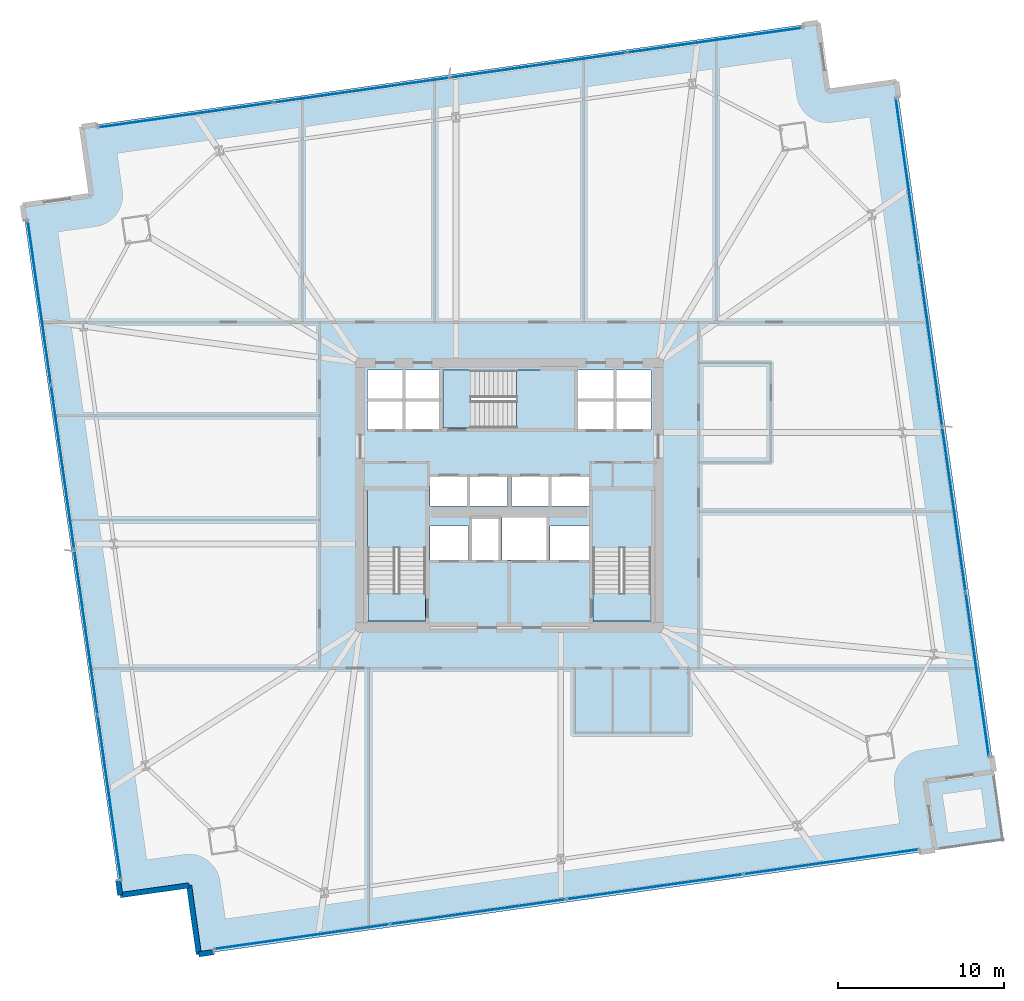
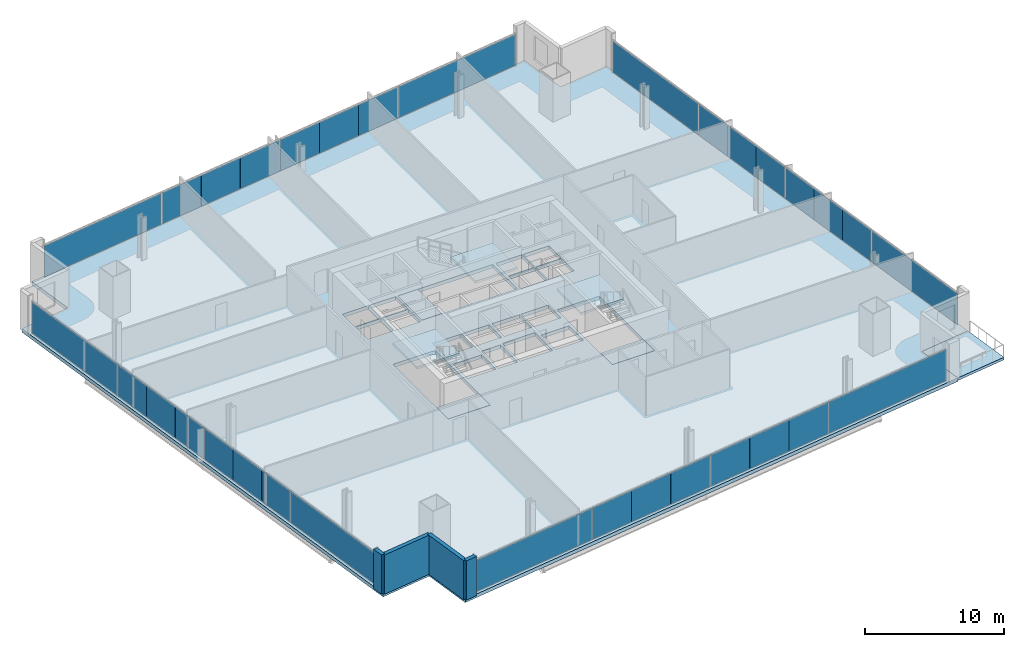
# One storey, part 24 of 33: 32 plates, 8 slabs, 4 walls, 7 elements without a shape of their own.
"""IFC4 building model written with IfcOpenShell, lengths in metres."""

from ifc_helpers import new_model, si_unit, direction, frame, frame_2d, origin, origin_2d, place, context, subcontext, project, spatial, polyline, rectangle, outline, extrude, source, transform, mapped, material, layer, layer_set, type_object, element, aggregate, save


model = new_model("IFC4")

# Units and contexts
model_context = context("Model", 3, precision=1e-05, world=origin(), true_north=direction((0.0, 1.0)))
body_context = subcontext(model_context, "Body", "Model", "MODEL_VIEW")
ifc_project = project(units=[si_unit("LENGTHUNIT", "METRE"), si_unit("AREAUNIT", "SQUARE_METRE"), si_unit("VOLUMEUNIT", "CUBIC_METRE"), si_unit("PLANEANGLEUNIT", "RADIAN"), si_unit("MASSUNIT", "GRAM", prefix="KILO")], contexts=[model_context])

# Site, building, storey
site_placement = place(None, origin())
site = spatial("IfcSite", under=ifc_project, at=site_placement, CompositionType="ELEMENT")
building_placement = place(site_placement, origin())
building = spatial("IfcBuilding", under=site, at=building_placement, Name="Haldenkirk Collegiate Tower", CompositionType="ELEMENT")
storey_placement = place(building_placement, frame((0.0, 0.0, 55.199951171875)))
storey = spatial("IfcBuildingStorey", under=building, at=storey_placement, Name="L12", CompositionType="ELEMENT", Elevation=55.199951171875)

# Slab
ifc_material_1 = material(Name="Concrete f'c 40 MPa", Category="concrete")
ifc_layer_1 = layer(ifc_material_1, 0.31005859375)
ifc_layer_set_1 = layer_set([ifc_layer_1], Name="Concrete f'c 40 MPa")
slab_type_1 = type_object("IfcSlabType", Name="SLB-FLR-310", PredefinedType="FLOOR", material=ifc_layer_set_1)
slab_1_placement = place(storey_placement, frame((0.0, 0.0, -0.31005859375)))
element("IfcSlab", 1, at=slab_1_placement, inside=storey, type_object=slab_type_1, Name="L12 composite structural floor slab", PredefinedType="FLOOR", context=body_context, shape_type="SweptSolid", body=[
    extrude(outline(polyline([(17.24755859375, -1.72412109375), (61.705078125, 4.5634765625), (61.1171875, 8.72216796875), (65.275634765625, 9.310302734375), (59.383544921875, 50.970703125), (55.22509765625, 50.382568359375), (54.63671875, 54.541015625), (10.17919921875, 48.25341796875), (10.767333984375, 44.0947265625), (6.60888671875, 43.506591796875), (12.5009765625, 1.84619140625), (16.659423828125, 2.434326171875), (17.24755859375, -1.72412109375)]), holes=[polyline([(27.449951171875, 18.39990234375), (30.949951171875, 18.39990234375), (30.949951171875, 26.300048828125), (27.449951171875, 26.300048828125), (27.449951171875, 18.39990234375)]), polyline([(41.050048828125, 18.39990234375), (44.550048828125, 18.39990234375), (44.550048828125, 26.300048828125), (41.050048828125, 26.300048828125), (41.050048828125, 18.39990234375)]), polyline([(32.0, 30.050048828125), (39.89990234375, 30.050048828125), (39.89990234375, 33.550048828125), (32.0, 33.550048828125), (32.0, 30.050048828125)]), polyline([(33.75, 22.10009765625), (35.35009765625, 22.10009765625), (35.35009765625, 24.550048828125), (33.75, 24.550048828125), (33.75, 22.10009765625)]), polyline([(27.449951171875, 29.949951171875), (29.580078125, 29.949951171875), (29.580078125, 31.699951171875), (27.449951171875, 31.699951171875), (27.449951171875, 29.949951171875)]), polyline([(29.679931640625, 29.949951171875), (31.85009765625, 29.949951171875), (31.85009765625, 31.699951171875), (29.679931640625, 31.699951171875), (29.679931640625, 29.949951171875)]), polyline([(27.449951171875, 31.800048828125), (29.580078125, 31.800048828125), (29.580078125, 33.550048828125), (27.449951171875, 33.550048828125), (27.449951171875, 31.800048828125)]), polyline([(29.679931640625, 31.800048828125), (31.85009765625, 31.800048828125), (31.85009765625, 33.550048828125), (29.679931640625, 33.550048828125), (29.679931640625, 31.800048828125)]), polyline([(40.14990234375, 29.949951171875), (42.320068359375, 29.949951171875), (42.320068359375, 31.699951171875), (40.14990234375, 31.699951171875), (40.14990234375, 29.949951171875)]), polyline([(42.419921875, 29.949951171875), (44.550048828125, 29.949951171875), (44.550048828125, 31.699951171875), (42.419921875, 31.699951171875), (42.419921875, 29.949951171875)]), polyline([(40.14990234375, 31.800048828125), (42.320068359375, 31.800048828125), (42.320068359375, 33.550048828125), (40.14990234375, 33.550048828125), (40.14990234375, 31.800048828125)]), polyline([(42.419921875, 31.800048828125), (44.550048828125, 31.800048828125), (44.550048828125, 33.550048828125), (42.419921875, 33.550048828125), (42.419921875, 31.800048828125)]), polyline([(31.199951171875, 25.35009765625), (33.47998046875, 25.35009765625), (33.47998046875, 27.14990234375), (31.199951171875, 27.14990234375), (31.199951171875, 25.35009765625)]), polyline([(33.60009765625, 25.35009765625), (35.8798828125, 25.35009765625), (35.8798828125, 27.14990234375), (33.60009765625, 27.14990234375), (33.60009765625, 25.35009765625)]), polyline([(36.1201171875, 25.35009765625), (38.39990234375, 25.35009765625), (38.39990234375, 27.14990234375), (36.1201171875, 27.14990234375), (36.1201171875, 25.35009765625)]), polyline([(38.52001953125, 25.35009765625), (40.800048828125, 25.35009765625), (40.800048828125, 27.14990234375), (38.52001953125, 27.14990234375), (38.52001953125, 25.35009765625)]), polyline([(31.199951171875, 22.10009765625), (33.550048828125, 22.10009765625), (33.550048828125, 24.14990234375), (31.199951171875, 24.14990234375), (31.199951171875, 22.10009765625)]), polyline([(38.449951171875, 22.10009765625), (40.800048828125, 22.10009765625), (40.800048828125, 24.14990234375), (38.449951171875, 24.14990234375), (38.449951171875, 22.10009765625)]), polyline([(35.550048828125, 22.10009765625), (38.25, 22.10009765625), (38.25, 24.64990234375), (35.550048828125, 24.64990234375), (35.550048828125, 22.10009765625)])]), origin(), (0.0, 0.0, 1.0), 0.31005859375),
])

# Stair, slab
stair_type = type_object("IfcStairType", Name="STR-DOGLEG-1650", PredefinedType="HALF_TURN_STAIR", material=ifc_material_1)
stair_1_placement = place(storey_placement, origin())
stair_1 = element("IfcStair", 2, at=stair_1_placement, inside=storey, type_object=stair_type, Name="L12 Core Exit Stair ST-1", PredefinedType="HALF_TURN_STAIR")
ifc_layer_2 = layer(ifc_material_1, 0.199951171875)
ifc_layer_set_2 = layer_set([ifc_layer_2], Name="Concrete f'c 40 MPa")
slab_type_2 = type_object("IfcSlabType", Name="SLB-LANDING-200", PredefinedType="LANDING", material=ifc_layer_set_2)
slab_2_placement = place(storey_placement, frame((0.0, 0.0, 1.675048828125)))
slab_2 = element("IfcSlab", 3, at=slab_2_placement, type_object=slab_type_2, Name="ST-1 landing 1", PredefinedType="LANDING", context=body_context, shape_type="SweptSolid", body=[
    extrude(outline(polyline([(30.97509765625, 22.824951171875), (27.425048828125, 22.824951171875), (27.425048828125, 26.324951171875), (30.97509765625, 26.324951171875), (30.97509765625, 22.824951171875)])), origin(), (0.0, 0.0, 1.0), 0.199951171875),
])
aggregate(stair_1, [slab_2])

stair_2_placement = place(storey_placement, origin())
stair_2 = element("IfcStair", 4, at=stair_2_placement, inside=storey, type_object=stair_type, Name="L12 Core Exit Stair ST-2", PredefinedType="HALF_TURN_STAIR")
slab_3_placement = place(storey_placement, frame((0.0, 0.0, 1.675048828125)))
slab_3 = element("IfcSlab", 5, at=slab_3_placement, type_object=slab_type_2, Name="ST-2 landing 1", PredefinedType="LANDING", context=body_context, shape_type="SweptSolid", body=[
    extrude(outline(polyline([(44.574951171875, 22.824951171875), (41.02490234375, 22.824951171875), (41.02490234375, 26.324951171875), (44.574951171875, 26.324951171875), (44.574951171875, 22.824951171875)])), origin(), (0.0, 0.0, 1.0), 0.199951171875),
])
aggregate(stair_2, [slab_3])

stair_3_placement = place(storey_placement, origin())
stair_3 = element("IfcStair", 6, at=stair_3_placement, inside=storey, type_object=stair_type, Name="L12 Core Exit Stair ST-3", PredefinedType="HALF_TURN_STAIR")
slab_4_placement = place(storey_placement, frame((0.0, 0.0, 1.675048828125)))
slab_4 = element("IfcSlab", 7, at=slab_4_placement, type_object=slab_type_2, Name="ST-3 landing 1", PredefinedType="LANDING", context=body_context, shape_type="SweptSolid", body=[
    extrude(outline(polyline([(36.425048828125, 30.02490234375), (36.425048828125, 33.574951171875), (39.925048828125, 33.574951171875), (39.925048828125, 30.02490234375), (36.425048828125, 30.02490234375)])), origin(), (0.0, 0.0, 1.0), 0.199951171875),
])
aggregate(stair_3, [slab_4])

# Slabs
ifc_layer_3 = layer(ifc_material_1, 0.25)
ifc_layer_set_3 = layer_set([ifc_layer_3], Name="Concrete f'c 40 MPa")
slab_type_3 = type_object("IfcSlabType", Name="SLB-STAIRLAND-250", PredefinedType="LANDING", material=ifc_layer_set_3)
slab_5_placement = place(storey_placement, frame((0.0, 0.0, -0.25)))
element("IfcSlab", 8, at=slab_5_placement, inside=storey, type_object=slab_type_3, Name="L12 stair ST1 structural floor landing slab", PredefinedType="LANDING", context=body_context, shape_type="SweptSolid", body=[
    extrude(outline(polyline([(27.4599609375, 18.409912109375), (30.93994140625, 18.409912109375), (30.93994140625, 20.080078125), (27.4599609375, 20.080078125), (27.4599609375, 18.409912109375)])), origin(), (0.0, 0.0, 1.0), 0.25),
])
slab_6_placement = place(storey_placement, frame((0.0, 0.0, -0.25)))
element("IfcSlab", 9, at=slab_6_placement, inside=storey, type_object=slab_type_3, Name="L12 stair ST2 structural floor landing slab", PredefinedType="LANDING", context=body_context, shape_type="SweptSolid", body=[
    extrude(outline(polyline([(41.06005859375, 18.409912109375), (44.5400390625, 18.409912109375), (44.5400390625, 20.080078125), (41.06005859375, 20.080078125), (41.06005859375, 18.409912109375)])), origin(), (0.0, 0.0, 1.0), 0.25),
])
slab_7_placement = place(storey_placement, frame((0.0, 0.0, -0.25)))
element("IfcSlab", 10, at=slab_7_placement, inside=storey, type_object=slab_type_3, Name="L12 stair ST3 structural floor landing slab", PredefinedType="LANDING", context=body_context, shape_type="SweptSolid", body=[
    extrude(outline(polyline([(32.010009765625, 30.06005859375), (33.679931640625, 30.06005859375), (33.679931640625, 33.5400390625), (32.010009765625, 33.5400390625), (32.010009765625, 30.06005859375)])), origin(), (0.0, 0.0, 1.0), 0.25),
])
ifc_layer_4 = layer(ifc_material_1, 0.22998046875)
ifc_layer_set_4 = layer_set([ifc_layer_4], Name="Concrete f'c 40 MPa")
slab_type_4 = type_object("IfcSlabType", Name="SLB-TERR-SPIRAL-230", PredefinedType="FLOOR", material=ifc_layer_set_4)
slab_8_placement = place(storey_placement, frame((0.0, 0.0, -0.22998046875)))
element("IfcSlab", 11, at=slab_8_placement, inside=storey, type_object=slab_type_4, Name="L12 spiralling corner terrace slab", PredefinedType="FLOOR", context=body_context, shape_type="SweptSolid", body=[
    extrude(outline(polyline([(61.705078125, 4.5634765625), (65.86376953125, 5.151611328125), (65.275634765625, 9.310302734375), (61.1171875, 8.72216796875), (61.705078125, 4.5634765625)])), origin(), (0.0, 0.0, 1.0), 0.22998046875),
])

# Curtain wall, plates
ifc_material_2 = material(Name="Anodised architectural bronze aluminium", Category="aluminium")
curtain_wall_type_1 = type_object("IfcCurtainWallType", Name="CW-SYS2-CONCAVE", PredefinedType="USERDEFINED", material=ifc_material_2)
curtain_wall_1_placement = place(storey_placement, origin())
curtain_wall_1 = element("IfcCurtainWall", 12, at=curtain_wall_1_placement, inside=storey, type_object=curtain_wall_type_1, Name="L12 South concave recessed bronze-anodised curtain wall", ObjectType="UNITISED CURTAIN WALL", PredefinedType="USERDEFINED")
ifc_material_3 = material(Name="Low-E argon triple insulating glass", Category="glass")
ifc_layer_5 = layer(ifc_material_3, 0.0419921875)
ifc_layer_set_5 = layer_set([ifc_layer_5], Name="Low-E argon triple insulating glass")
plate_type_1 = type_object("IfcPlateType", Name="CW-PNL-02", PredefinedType="CURTAIN_PANEL", material=ifc_layer_set_5)
shared_shape_1 = source(origin(), body_context, "Body", "SweptSolid", [
    extrude(rectangle(XDim=10.66259765625, YDim=0.0419921875, at=origin_2d()), origin(), (0.0, 0.0, 1.0), 2.740966796875),
])
plate_1_placement = place(storey_placement, frame((55.435791015625, 3.858642578125, 0.0751953125), z_axis=(0.0, 0.0, 1.0), x_axis=(-0.990145976114, -0.140039087345, 0.0)))
plate_1 = element("IfcPlate", 13, at=plate_1_placement, type_object=plate_type_1, Name="CW-02 panel 1.1", PredefinedType="CURTAIN_PANEL", context=body_context, shape_type="MappedRepresentation", body=[
    mapped(shared_shape_1, transform((0.0, 0.0, 0.0), x_axis=(1.0, 0.0, 0.0), y_axis=(0.0, 1.0, 0.0), z_axis=(0.0, 0.0, 1.0), scale=1.0)),
])
plate_2_placement = place(storey_placement, frame((23.466552734375, -0.662841796875, 0.0751953125), z_axis=(0.0, 0.0, 1.0), x_axis=(-0.990145976114, -0.140039087345, 0.0)))
plate_2 = element("IfcPlate", 14, at=plate_2_placement, type_object=plate_type_1, Name="CW-02 panel 4.1", PredefinedType="CURTAIN_PANEL", context=body_context, shape_type="MappedRepresentation", body=[
    mapped(shared_shape_1, transform((0.0, 0.0, 0.0), x_axis=(1.0, 0.0, 0.0), y_axis=(0.0, 1.0, 0.0), z_axis=(0.0, 0.0, 1.0), scale=1.0)),
])
ifc_material_4 = material(Name="Bronze-anodised insulated aluminium spandrel panel", Category="aluminium")
ifc_layer_6 = layer(ifc_material_4, 0.0419921875)
ifc_layer_set_6 = layer_set([ifc_layer_6], Name="Bronze-anodised insulated aluminium spandrel panel")
plate_type_2 = type_object("IfcPlateType", Name="CW-SPD-02", PredefinedType="CURTAIN_PANEL", material=ifc_layer_set_6)
shared_shape_2 = source(origin(), body_context, "Body", "SweptSolid", [
    extrude(rectangle(XDim=3.55419921875, YDim=0.0419921875, at=origin_2d()), origin(), (0.0, 0.0, 1.0), 2.740966796875),
])
plate_3_placement = place(storey_placement, frame((48.3232421875, 2.852783203125, 0.0751953125), z_axis=(0.0, 0.0, 1.0), x_axis=(-0.990145976114, -0.140039087345, 0.0)))
plate_3 = element("IfcPlate", 15, at=plate_3_placement, type_object=plate_type_2, Name="CW-02 spandrel panel 2.1a", PredefinedType="CURTAIN_PANEL", context=body_context, shape_type="MappedRepresentation", body=[
    mapped(shared_shape_2, transform((0.0, 0.0, 0.0), x_axis=(1.0, 0.0, 0.0), y_axis=(0.0, 1.0, 0.0), z_axis=(0.0, 0.0, 1.0), scale=1.0)),
])
plate_4_placement = place(storey_placement, frame((41.247802734375, 1.85205078125, 0.0751953125), z_axis=(0.0, 0.0, 1.0), x_axis=(-0.990145976114, -0.140039087345, 0.0)))
plate_4 = element("IfcPlate", 16, at=plate_4_placement, type_object=plate_type_1, Name="CW-02 panel 2.1c", PredefinedType="CURTAIN_PANEL", context=body_context, shape_type="MappedRepresentation", body=[
    mapped(shared_shape_2, transform((0.0, 0.0, 0.0), x_axis=(1.0, 0.0, 0.0), y_axis=(0.0, 1.0, 0.0), z_axis=(0.0, 0.0, 1.0), scale=1.0)),
])
plate_5_placement = place(storey_placement, frame((37.654541015625, 1.34375, 0.0751953125), z_axis=(0.0, 0.0, 1.0), x_axis=(-0.990145976114, -0.140039087345, 0.0)))
plate_5 = element("IfcPlate", 17, at=plate_5_placement, type_object=plate_type_1, Name="CW-02 panel 3.1a", PredefinedType="CURTAIN_PANEL", context=body_context, shape_type="MappedRepresentation", body=[
    mapped(shared_shape_2, transform((0.0, 0.0, 0.0), x_axis=(1.0, 0.0, 0.0), y_axis=(0.0, 1.0, 0.0), z_axis=(0.0, 0.0, 1.0), scale=1.0)),
])
plate_6_placement = place(storey_placement, frame((30.5791015625, 0.343017578125, 0.0751953125), z_axis=(0.0, 0.0, 1.0), x_axis=(-0.990145976114, -0.140039087345, 0.0)))
plate_6 = element("IfcPlate", 18, at=plate_6_placement, type_object=plate_type_2, Name="CW-02 spandrel panel 3.1c", PredefinedType="CURTAIN_PANEL", context=body_context, shape_type="MappedRepresentation", body=[
    mapped(shared_shape_2, transform((0.0, 0.0, 0.0), x_axis=(1.0, 0.0, 0.0), y_axis=(0.0, 1.0, 0.0), z_axis=(0.0, 0.0, 1.0), scale=1.0)),
])
shared_shape_3 = source(origin(), body_context, "Body", "SweptSolid", [
    extrude(rectangle(XDim=3.541748046875, YDim=0.0419921875, at=origin_2d()), origin(), (0.0, 0.0, 1.0), 2.740966796875),
])
plate_7_placement = place(storey_placement, frame((44.78564453125, 2.352294921875, 0.0751953125), z_axis=(0.0, 0.0, 1.0), x_axis=(-0.990145976114, -0.140039087345, 0.0)))
plate_7 = element("IfcPlate", 19, at=plate_7_placement, type_object=plate_type_2, Name="CW-02 spandrel panel 2.1b", PredefinedType="CURTAIN_PANEL", context=body_context, shape_type="MappedRepresentation", body=[
    mapped(shared_shape_3, transform((0.0, 0.0, 0.0), x_axis=(1.0, 0.0, 0.0), y_axis=(0.0, 1.0, 0.0), z_axis=(0.0, 0.0, 1.0), scale=1.0)),
])
plate_8_placement = place(storey_placement, frame((34.11669921875, 0.843505859375, 0.0751953125), z_axis=(0.0, 0.0, 1.0), x_axis=(-0.990145976114, -0.140039087345, 0.0)))
plate_8 = element("IfcPlate", 20, at=plate_8_placement, type_object=plate_type_2, Name="CW-02 spandrel panel 3.1b", PredefinedType="CURTAIN_PANEL", context=body_context, shape_type="MappedRepresentation", body=[
    mapped(shared_shape_3, transform((0.0, 0.0, 0.0), x_axis=(1.0, 0.0, 0.0), y_axis=(0.0, 1.0, 0.0), z_axis=(0.0, 0.0, 1.0), scale=1.0)),
])
aggregate(curtain_wall_1, [plate_1, plate_3, plate_7, plate_4, plate_5, plate_8, plate_6, plate_2])

curtain_wall_type_2 = type_object("IfcCurtainWallType", Name="CW-SYS1-CONVEX-LOW", PredefinedType="USERDEFINED", material=ifc_material_2)
curtain_wall_2_placement = place(storey_placement, origin())
curtain_wall_2 = element("IfcCurtainWall", 21, at=curtain_wall_2_placement, inside=storey, type_object=curtain_wall_type_2, Name="L12 Lower tower convex bronze-framed unitised curtain wall", ObjectType="UNITISED CURTAIN WALL", PredefinedType="USERDEFINED")
ifc_layer_7 = layer(ifc_material_3, 0.0439453125)
ifc_layer_set_7 = layer_set([ifc_layer_7], Name="Low-E argon triple insulating glass")
plate_type_3 = type_object("IfcPlateType", Name="CW-PNL-1A", PredefinedType="CURTAIN_PANEL", material=ifc_layer_set_7)
shared_shape_4 = source(origin(), body_context, "Body", "SweptSolid", [
    extrude(rectangle(XDim=9.94873046875, YDim=0.0439453125, at=origin_2d()), origin(), (0.0, 0.0, 1.0), 2.73095703125),
])
plate_9_placement = place(storey_placement, frame((60.039306640625, 45.0498046875, 0.080078125), z_axis=(0.0, 0.0, 1.0), x_axis=(0.140039470541, -0.990145921918, 0.0)))
plate_9 = element("IfcPlate", 22, at=plate_9_placement, type_object=plate_type_3, Name="CW-1A panel 1.1", PredefinedType="CURTAIN_PANEL", context=body_context, shape_type="MappedRepresentation", body=[
    mapped(shared_shape_4, transform((0.0, 0.0, 0.0), x_axis=(1.0, 0.0, 0.0), y_axis=(0.0, 1.0, 0.0), z_axis=(0.0, 0.0, 1.0), scale=1.0)),
])
plate_10_placement = place(storey_placement, frame((64.263671875, 15.1806640625, 0.080078125), z_axis=(0.0, 0.0, 1.0), x_axis=(0.140039470541, -0.990145921918, 0.0)))
plate_10 = element("IfcPlate", 23, at=plate_10_placement, type_object=plate_type_3, Name="CW-1A panel 4.1", PredefinedType="CURTAIN_PANEL", context=body_context, shape_type="MappedRepresentation", body=[
    mapped(shared_shape_4, transform((0.0, 0.0, 0.0), x_axis=(1.0, 0.0, 0.0), y_axis=(0.0, 1.0, 0.0), z_axis=(0.0, 0.0, 1.0), scale=1.0)),
])

curtain_wall_3_placement = place(storey_placement, origin())
curtain_wall_3 = element("IfcCurtainWall", 24, at=curtain_wall_3_placement, inside=storey, type_object=curtain_wall_type_2, Name="L12 Lower tower convex bronze-framed unitised curtain wall", ObjectType="UNITISED CURTAIN WALL", PredefinedType="USERDEFINED")
plate_11_placement = place(storey_placement, frame((11.84521484375, 7.76708984375, 0.080078125), z_axis=(0.0, 0.0, 1.0), x_axis=(-0.140039470541, 0.990145921918, 0.0)))
plate_11 = element("IfcPlate", 25, at=plate_11_placement, type_object=plate_type_3, Name="CW-1A panel 1.1", PredefinedType="CURTAIN_PANEL", context=body_context, shape_type="MappedRepresentation", body=[
    mapped(shared_shape_4, transform((0.0, 0.0, 0.0), x_axis=(1.0, 0.0, 0.0), y_axis=(0.0, 1.0, 0.0), z_axis=(0.0, 0.0, 1.0), scale=1.0)),
])
plate_12_placement = place(storey_placement, frame((7.620849609375, 37.63623046875, 0.080078125), z_axis=(0.0, 0.0, 1.0), x_axis=(-0.140039470541, 0.990145921918, 0.0)))
plate_12 = element("IfcPlate", 26, at=plate_12_placement, type_object=plate_type_3, Name="CW-1A panel 4.1", PredefinedType="CURTAIN_PANEL", context=body_context, shape_type="MappedRepresentation", body=[
    mapped(shared_shape_4, transform((0.0, 0.0, 0.0), x_axis=(1.0, 0.0, 0.0), y_axis=(0.0, 1.0, 0.0), z_axis=(0.0, 0.0, 1.0), scale=1.0)),
])

# Plate
ifc_layer_8 = layer(ifc_material_4, 0.0439453125)
ifc_layer_set_8 = layer_set([ifc_layer_8], Name="Bronze-anodised insulated aluminium spandrel panel")
plate_type_4 = type_object("IfcPlateType", Name="CW-SPD-1A", PredefinedType="CURTAIN_PANEL", material=ifc_layer_set_8)
shared_shape_5 = source(origin(), body_context, "Body", "SweptSolid", [
    extrude(rectangle(XDim=3.317138671875, YDim=0.0439453125, at=origin_2d()), origin(), (0.0, 0.0, 1.0), 2.73095703125),
])
plate_13_placement = place(storey_placement, frame((60.979248046875, 38.40283203125, 0.080078125), z_axis=(0.0, 0.0, 1.0), x_axis=(0.140039470541, -0.990145921918, 0.0)))
plate_13 = element("IfcPlate", 27, at=plate_13_placement, type_object=plate_type_4, Name="CW-1A spandrel panel 2.1a", PredefinedType="CURTAIN_PANEL", context=body_context, shape_type="MappedRepresentation", body=[
    mapped(shared_shape_5, transform((0.0, 0.0, 0.0), x_axis=(1.0, 0.0, 0.0), y_axis=(0.0, 1.0, 0.0), z_axis=(0.0, 0.0, 1.0), scale=1.0)),
])

plate_14_placement = place(storey_placement, frame((61.91357421875, 31.797119140625, 0.080078125), z_axis=(0.0, 0.0, 1.0), x_axis=(0.140039470541, -0.990145921918, 0.0)))
plate_14 = element("IfcPlate", 28, at=plate_14_placement, type_object=plate_type_3, Name="CW-1A panel 2.1c", PredefinedType="CURTAIN_PANEL", context=body_context, shape_type="MappedRepresentation", body=[
    mapped(shared_shape_5, transform((0.0, 0.0, 0.0), x_axis=(1.0, 0.0, 0.0), y_axis=(0.0, 1.0, 0.0), z_axis=(0.0, 0.0, 1.0), scale=1.0)),
])

plate_15_placement = place(storey_placement, frame((62.389404296875, 28.433349609375, 0.080078125), z_axis=(0.0, 0.0, 1.0), x_axis=(0.140039470541, -0.990145921918, 0.0)))
plate_15 = element("IfcPlate", 29, at=plate_15_placement, type_object=plate_type_3, Name="CW-1A panel 3.1a", PredefinedType="CURTAIN_PANEL", context=body_context, shape_type="MappedRepresentation", body=[
    mapped(shared_shape_5, transform((0.0, 0.0, 0.0), x_axis=(1.0, 0.0, 0.0), y_axis=(0.0, 1.0, 0.0), z_axis=(0.0, 0.0, 1.0), scale=1.0)),
])

plate_16_placement = place(storey_placement, frame((63.323486328125, 21.827392578125, 0.080078125), z_axis=(0.0, 0.0, 1.0), x_axis=(0.140039470541, -0.990145921918, 0.0)))
plate_16 = element("IfcPlate", 30, at=plate_16_placement, type_object=plate_type_4, Name="CW-1A spandrel panel 3.1c", PredefinedType="CURTAIN_PANEL", context=body_context, shape_type="MappedRepresentation", body=[
    mapped(shared_shape_5, transform((0.0, 0.0, 0.0), x_axis=(1.0, 0.0, 0.0), y_axis=(0.0, 1.0, 0.0), z_axis=(0.0, 0.0, 1.0), scale=1.0)),
])

plate_17_placement = place(storey_placement, frame((10.9052734375, 14.413818359375, 0.080078125), z_axis=(0.0, 0.0, 1.0), x_axis=(-0.140039470541, 0.990145921918, 0.0)))
plate_17 = element("IfcPlate", 31, at=plate_17_placement, type_object=plate_type_4, Name="CW-1A spandrel panel 2.1a", PredefinedType="CURTAIN_PANEL", context=body_context, shape_type="MappedRepresentation", body=[
    mapped(shared_shape_5, transform((0.0, 0.0, 0.0), x_axis=(1.0, 0.0, 0.0), y_axis=(0.0, 1.0, 0.0), z_axis=(0.0, 0.0, 1.0), scale=1.0)),
])

plate_18_placement = place(storey_placement, frame((9.970947265625, 21.019775390625, 0.080078125), z_axis=(0.0, 0.0, 1.0), x_axis=(-0.140039470541, 0.990145921918, 0.0)))
plate_18 = element("IfcPlate", 32, at=plate_18_placement, type_object=plate_type_3, Name="CW-1A panel 2.1c", PredefinedType="CURTAIN_PANEL", context=body_context, shape_type="MappedRepresentation", body=[
    mapped(shared_shape_5, transform((0.0, 0.0, 0.0), x_axis=(1.0, 0.0, 0.0), y_axis=(0.0, 1.0, 0.0), z_axis=(0.0, 0.0, 1.0), scale=1.0)),
])

plate_19_placement = place(storey_placement, frame((9.4951171875, 24.38330078125, 0.080078125), z_axis=(0.0, 0.0, 1.0), x_axis=(-0.140039470541, 0.990145921918, 0.0)))
plate_19 = element("IfcPlate", 33, at=plate_19_placement, type_object=plate_type_3, Name="CW-1A panel 3.1a", PredefinedType="CURTAIN_PANEL", context=body_context, shape_type="MappedRepresentation", body=[
    mapped(shared_shape_5, transform((0.0, 0.0, 0.0), x_axis=(1.0, 0.0, 0.0), y_axis=(0.0, 1.0, 0.0), z_axis=(0.0, 0.0, 1.0), scale=1.0)),
])

plate_20_placement = place(storey_placement, frame((8.560791015625, 30.9892578125, 0.080078125), z_axis=(0.0, 0.0, 1.0), x_axis=(-0.140039470541, 0.990145921918, 0.0)))
plate_20 = element("IfcPlate", 34, at=plate_20_placement, type_object=plate_type_4, Name="CW-1A spandrel panel 3.1c", PredefinedType="CURTAIN_PANEL", context=body_context, shape_type="MappedRepresentation", body=[
    mapped(shared_shape_5, transform((0.0, 0.0, 0.0), x_axis=(1.0, 0.0, 0.0), y_axis=(0.0, 1.0, 0.0), z_axis=(0.0, 0.0, 1.0), scale=1.0)),
])

shared_shape_6 = source(origin(), body_context, "Body", "SweptSolid", [
    extrude(rectangle(XDim=3.3046875, YDim=0.0439453125, at=origin_2d()), origin(), (0.0, 0.0, 1.0), 2.73095703125),
])
plate_21_placement = place(storey_placement, frame((61.4462890625, 35.10009765625, 0.080078125), z_axis=(0.0, 0.0, 1.0), x_axis=(0.140039470541, -0.990145921918, 0.0)))
plate_21 = element("IfcPlate", 35, at=plate_21_placement, type_object=plate_type_4, Name="CW-1A spandrel panel 2.1b", PredefinedType="CURTAIN_PANEL", context=body_context, shape_type="MappedRepresentation", body=[
    mapped(shared_shape_6, transform((0.0, 0.0, 0.0), x_axis=(1.0, 0.0, 0.0), y_axis=(0.0, 1.0, 0.0), z_axis=(0.0, 0.0, 1.0), scale=1.0)),
])

plate_22_placement = place(storey_placement, frame((62.8564453125, 25.13037109375, 0.080078125), z_axis=(0.0, 0.0, 1.0), x_axis=(0.140039470541, -0.990145921918, 0.0)))
plate_22 = element("IfcPlate", 36, at=plate_22_placement, type_object=plate_type_4, Name="CW-1A spandrel panel 3.1b", PredefinedType="CURTAIN_PANEL", context=body_context, shape_type="MappedRepresentation", body=[
    mapped(shared_shape_6, transform((0.0, 0.0, 0.0), x_axis=(1.0, 0.0, 0.0), y_axis=(0.0, 1.0, 0.0), z_axis=(0.0, 0.0, 1.0), scale=1.0)),
])

aggregate(curtain_wall_2, [plate_9, plate_13, plate_21, plate_14, plate_15, plate_22, plate_16, plate_10])

plate_23_placement = place(storey_placement, frame((10.43798828125, 17.716796875, 0.080078125), z_axis=(0.0, 0.0, 1.0), x_axis=(-0.140039470541, 0.990145921918, 0.0)))
plate_23 = element("IfcPlate", 37, at=plate_23_placement, type_object=plate_type_4, Name="CW-1A spandrel panel 2.1b", PredefinedType="CURTAIN_PANEL", context=body_context, shape_type="MappedRepresentation", body=[
    mapped(shared_shape_6, transform((0.0, 0.0, 0.0), x_axis=(1.0, 0.0, 0.0), y_axis=(0.0, 1.0, 0.0), z_axis=(0.0, 0.0, 1.0), scale=1.0)),
])

plate_24_placement = place(storey_placement, frame((9.028076171875, 27.686279296875, 0.080078125), z_axis=(0.0, 0.0, 1.0), x_axis=(-0.140039470541, 0.990145921918, 0.0)))
plate_24 = element("IfcPlate", 38, at=plate_24_placement, type_object=plate_type_4, Name="CW-1A spandrel panel 3.1b", PredefinedType="CURTAIN_PANEL", context=body_context, shape_type="MappedRepresentation", body=[
    mapped(shared_shape_6, transform((0.0, 0.0, 0.0), x_axis=(1.0, 0.0, 0.0), y_axis=(0.0, 1.0, 0.0), z_axis=(0.0, 0.0, 1.0), scale=1.0)),
])

aggregate(curtain_wall_3, [plate_11, plate_17, plate_23, plate_18, plate_19, plate_24, plate_20, plate_12])

# Curtain wall, plates
curtain_wall_4_placement = place(storey_placement, origin())
curtain_wall_4 = element("IfcCurtainWall", 39, at=curtain_wall_4_placement, inside=storey, type_object=curtain_wall_type_2, Name="L12 Lower tower convex bronze-framed unitised curtain wall", ObjectType="UNITISED CURTAIN WALL", PredefinedType="USERDEFINED")
shared_shape_7 = source(origin(), body_context, "Body", "SweptSolid", [
    extrude(rectangle(XDim=10.655029296875, YDim=0.0439453125, at=origin_2d()), origin(), (0.0, 0.0, 1.0), 2.73095703125),
])
plate_25_placement = place(storey_placement, frame((16.44970703125, 48.95849609375, 0.080078125), z_axis=(0.0, 0.0, 1.0), x_axis=(0.990145930614, 0.140039409054, 0.0)))
plate_25 = element("IfcPlate", 40, at=plate_25_placement, type_object=plate_type_3, Name="CW-1A panel 1.1", PredefinedType="CURTAIN_PANEL", context=body_context, shape_type="MappedRepresentation", body=[
    mapped(shared_shape_7, transform((0.0, 0.0, 0.0), x_axis=(1.0, 0.0, 0.0), y_axis=(0.0, 1.0, 0.0), z_axis=(0.0, 0.0, 1.0), scale=1.0)),
])
plate_26_placement = place(storey_placement, frame((48.416748046875, 53.479736328125, 0.080078125), z_axis=(0.0, 0.0, 1.0), x_axis=(0.990145930614, 0.140039409054, 0.0)))
plate_26 = element("IfcPlate", 41, at=plate_26_placement, type_object=plate_type_3, Name="CW-1A panel 4.1", PredefinedType="CURTAIN_PANEL", context=body_context, shape_type="MappedRepresentation", body=[
    mapped(shared_shape_7, transform((0.0, 0.0, 0.0), x_axis=(1.0, 0.0, 0.0), y_axis=(0.0, 1.0, 0.0), z_axis=(0.0, 0.0, 1.0), scale=1.0)),
])
shared_shape_8 = source(origin(), body_context, "Body", "SweptSolid", [
    extrude(rectangle(XDim=3.552490234375, YDim=0.0439453125, at=origin_2d()), origin(), (0.0, 0.0, 1.0), 2.73095703125),
])
plate_27_placement = place(storey_placement, frame((23.562744140625, 49.964599609375, 0.080078125), z_axis=(0.0, 0.0, 1.0), x_axis=(0.990145930614, 0.140039409054, 0.0)))
plate_27 = element("IfcPlate", 42, at=plate_27_placement, type_object=plate_type_4, Name="CW-1A spandrel panel 2.1a", PredefinedType="CURTAIN_PANEL", context=body_context, shape_type="MappedRepresentation", body=[
    mapped(shared_shape_8, transform((0.0, 0.0, 0.0), x_axis=(1.0, 0.0, 0.0), y_axis=(0.0, 1.0, 0.0), z_axis=(0.0, 0.0, 1.0), scale=1.0)),
])
plate_28_placement = place(storey_placement, frame((30.635009765625, 50.964599609375, 0.080078125), z_axis=(0.0, 0.0, 1.0), x_axis=(0.990145930614, 0.140039409054, 0.0)))
plate_28 = element("IfcPlate", 43, at=plate_28_placement, type_object=plate_type_3, Name="CW-1A panel 2.1c", PredefinedType="CURTAIN_PANEL", context=body_context, shape_type="MappedRepresentation", body=[
    mapped(shared_shape_8, transform((0.0, 0.0, 0.0), x_axis=(1.0, 0.0, 0.0), y_axis=(0.0, 1.0, 0.0), z_axis=(0.0, 0.0, 1.0), scale=1.0)),
])
plate_29_placement = place(storey_placement, frame((34.231689453125, 51.473388671875, 0.080078125), z_axis=(0.0, 0.0, 1.0), x_axis=(0.990145930614, 0.140039409054, 0.0)))
plate_29 = element("IfcPlate", 44, at=plate_29_placement, type_object=plate_type_3, Name="CW-1A panel 3.1a", PredefinedType="CURTAIN_PANEL", context=body_context, shape_type="MappedRepresentation", body=[
    mapped(shared_shape_8, transform((0.0, 0.0, 0.0), x_axis=(1.0, 0.0, 0.0), y_axis=(0.0, 1.0, 0.0), z_axis=(0.0, 0.0, 1.0), scale=1.0)),
])
plate_30_placement = place(storey_placement, frame((41.3037109375, 52.4736328125, 0.080078125), z_axis=(0.0, 0.0, 1.0), x_axis=(0.990145930614, 0.140039409054, 0.0)))
plate_30 = element("IfcPlate", 45, at=plate_30_placement, type_object=plate_type_4, Name="CW-1A spandrel panel 3.1c", PredefinedType="CURTAIN_PANEL", context=body_context, shape_type="MappedRepresentation", body=[
    mapped(shared_shape_8, transform((0.0, 0.0, 0.0), x_axis=(1.0, 0.0, 0.0), y_axis=(0.0, 1.0, 0.0), z_axis=(0.0, 0.0, 1.0), scale=1.0)),
])
shared_shape_9 = source(origin(), body_context, "Body", "SweptSolid", [
    extrude(rectangle(XDim=3.5400390625, YDim=0.0439453125, at=origin_2d()), origin(), (0.0, 0.0, 1.0), 2.73095703125),
])
plate_31_placement = place(storey_placement, frame((27.098876953125, 50.464599609375, 0.080078125), z_axis=(0.0, 0.0, 1.0), x_axis=(0.990145930614, 0.140039409054, 0.0)))
plate_31 = element("IfcPlate", 46, at=plate_31_placement, type_object=plate_type_4, Name="CW-1A spandrel panel 2.1b", PredefinedType="CURTAIN_PANEL", context=body_context, shape_type="MappedRepresentation", body=[
    mapped(shared_shape_9, transform((0.0, 0.0, 0.0), x_axis=(1.0, 0.0, 0.0), y_axis=(0.0, 1.0, 0.0), z_axis=(0.0, 0.0, 1.0), scale=1.0)),
])
plate_32_placement = place(storey_placement, frame((37.767578125, 51.973388671875, 0.080078125), z_axis=(0.0, 0.0, 1.0), x_axis=(0.990145930614, 0.140039409054, 0.0)))
plate_32 = element("IfcPlate", 47, at=plate_32_placement, type_object=plate_type_4, Name="CW-1A spandrel panel 3.1b", PredefinedType="CURTAIN_PANEL", context=body_context, shape_type="MappedRepresentation", body=[
    mapped(shared_shape_9, transform((0.0, 0.0, 0.0), x_axis=(1.0, 0.0, 0.0), y_axis=(0.0, 1.0, 0.0), z_axis=(0.0, 0.0, 1.0), scale=1.0)),
])
aggregate(curtain_wall_4, [plate_25, plate_27, plate_31, plate_28, plate_29, plate_32, plate_30, plate_26])

# Walls
ifc_material_5 = material(Name="Precast concrete f'c 40 MPa", Category="concrete")
ifc_layer_9 = layer(ifc_material_5, 0.320068359375)
ifc_layer_set_9 = layer_set([ifc_layer_9], Name="Precast concrete f'c 40 MPa")
wall_type = type_object("IfcWallType", Name="WL-EXT-TWR-320", PredefinedType="STANDARD", material=ifc_layer_set_9)
for number, where, z_axis, x_axis, name in (
    (48, (18.138671875, -1.59814453125, 0.0), (0.0, 0.0, 1.0), (-0.990154610877, -0.139978021702, 0.0), "L12 precast corner pier SR"),
    (49, (12.5009765625, 1.84619140625, 0.0), (0.0, 0.0, 1.0), (-0.139978021702, 0.990154610877, 0.0), "L12 precast corner pier WL"),
):
    element("IfcWall", number, at=place(storey_placement, frame(where, z_axis=z_axis, x_axis=x_axis)), inside=storey, type_object=wall_type, Name=name, PredefinedType="STANDARD", context=body_context, shape_type="SweptSolid", body=[
        extrude(rectangle(XDim=0.89990234375, YDim=0.320068359375, at=frame_2d((0.449951171875, 0.0))), origin(), (0.0, 0.0, 1.0), 3.43994140625),
    ])
for number, where, z_axis, x_axis, name in (
    (50, (16.659423828125, 2.434326171875, 0.0), (0.0, 0.0, 1.0), (-0.990146172451, -0.140037699139, 0.0), "L12 bronze precast notch wall 11"),
    (51, (17.24755859375, -1.72412109375, 0.0), (0.0, 0.0, 1.0), (-0.140037699139, 0.990146172451, 0.0), "L12 bronze precast notch wall 12"),
):
    element("IfcWall", number, at=place(storey_placement, frame(where, z_axis=z_axis, x_axis=x_axis)), inside=storey, type_object=wall_type, Name=name, PredefinedType="STANDARD", context=body_context, shape_type="SweptSolid", body=[
        extrude(rectangle(XDim=4.199951171875, YDim=0.320068359375, at=frame_2d((2.10009765625, 0.0))), origin(), (0.0, 0.0, 1.0), 3.43994140625),
    ])

save(model, "model.ifc")
